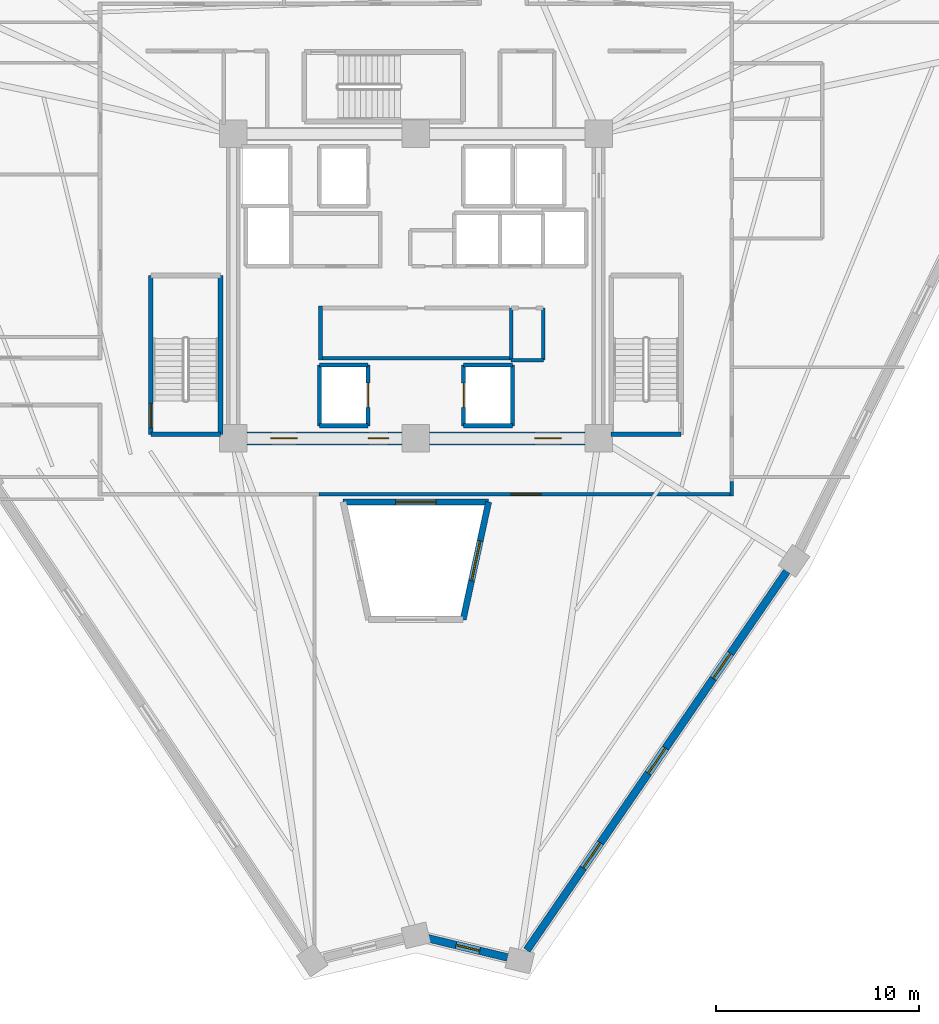
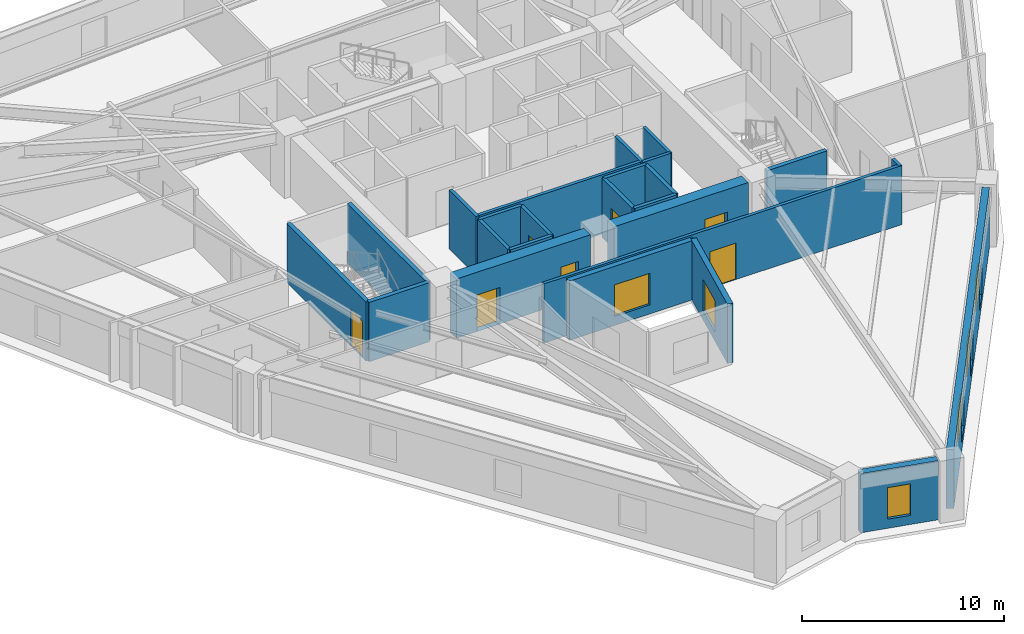
# One storey, part 3 of 8: 25 walls, 7 doors, 6 windows, 13 openings.
"""IFC4 building model written with IfcOpenShell, lengths in metres."""

from ifc_helpers import new_model, si_unit, direction, frame, frame_2d, origin, place, context, subcontext, project, spatial, rectangle, extrude, source, transform, mapped, material, layer, layer_set, type_object, element, fill, save


model = new_model("IFC4")

# Units and contexts
model_context = context("Model", 3, precision=1e-05, world=origin(), true_north=direction((0.0, 1.0)))
body_context = subcontext(model_context, "Body", "Model", "MODEL_VIEW")
ifc_project = project(units=[si_unit("LENGTHUNIT", "METRE"), si_unit("AREAUNIT", "SQUARE_METRE"), si_unit("VOLUMEUNIT", "CUBIC_METRE"), si_unit("PLANEANGLEUNIT", "RADIAN"), si_unit("MASSUNIT", "GRAM", prefix="KILO")], contexts=[model_context])

# Site, building, storey
site_placement = place(None, origin())
site = spatial("IfcSite", under=ifc_project, at=site_placement, CompositionType="ELEMENT")
building_placement = place(site_placement, origin())
building = spatial("IfcBuilding", under=site, at=building_placement, Name="Liaohun Quay Tower", CompositionType="ELEMENT")
storey_placement = place(building_placement, frame((0.0, 0.0, 270.0)))
storey = spatial("IfcBuildingStorey", under=building, at=storey_placement, Name="L70", CompositionType="ELEMENT", Elevation=270.0)

# Wall, opening, window
ifc_material_1 = material(Name="Concrete C50", Category="concrete")
ifc_layer_1 = layer(ifc_material_1, 0.300048828125, Name="Concrete C50", Category="concrete")
ifc_layer_set_1 = layer_set([ifc_layer_1], Name="Concrete C50")
wall_type_1 = type_object("IfcWallType", Name="WAL-ATR-300", PredefinedType="SOLIDWALL", material=ifc_layer_set_1)
wall_1_placement = place(storey_placement, frame((56.416015625, 43.3701171875, 0.0), z_axis=(0.0, 0.0, 1.0), x_axis=(1.0, 0.0, 0.0)))
wall_1 = element("IfcWall", 1, at=wall_1_placement, inside=storey, type_object=wall_type_1, Name="L70 Atrium Fire Compartment Wall 2", PredefinedType="SOLIDWALL", context=body_context, shape_type="SweptSolid", body=[
    extrude(rectangle(XDim=7.16796875, YDim=0.300048828125, at=frame_2d((3.583984375, 0.0))), origin(), (0.0, 0.0, 1.0), 3.570068359375),
])
shared_shape_1 = source(origin(), body_context, "Body", "SweptSolid", [
    extrude(rectangle(XDim=2.0, YDim=1.89990234375, at=frame_2d((1.0, 0.949951171875))), frame((0.0, 0.159912109375, 0.0), z_axis=(0.0, -1.0, 0.0), x_axis=(1.0, 0.0, 0.0)), (0.0, 0.0, 1.0), 0.320068359375),
])
opening_1_placement = place(wall_1_placement, frame((2.583984375, 0.0, 0.550048828125)))
opening_1 = element("IfcOpeningElement", 2, at=opening_1_placement, cuts=wall_1, Name="Opening W07", PredefinedType="OPENING", context=body_context, shape_type="MappedRepresentation", body=[
    mapped(shared_shape_1, transform((0.0, 0.0, 0.0), x_axis=(1.0, 0.0, 0.0), y_axis=(0.0, 1.0, 0.0), z_axis=(0.0, 0.0, 1.0), scale=1.0)),
])
ifc_material_2 = material(Name="Class A 180-min fire-resistant insulated glazing", Category="glass")
window_type_1 = type_object("IfcWindowType", Name="WIN-ATR-FIR", PartitioningType="DOUBLE_PANEL_VERTICAL", PredefinedType="WINDOW", material=ifc_material_2)
shared_shape_2 = source(origin(), body_context, "Body", "SweptSolid", [
    extrude(rectangle(XDim=2.0, YDim=1.89990234375, at=frame_2d((1.0, 0.949951171875))), frame((0.0, 0.030029296875, 0.0), z_axis=(0.0, -1.0, 0.0), x_axis=(1.0, 0.0, 0.0)), (0.0, 0.0, 1.0), 0.06005859375),
])
window_1_placement = place(opening_1_placement, origin())
window_1 = element("IfcWindow", 3, at=window_1_placement, inside=storey, type_object=window_type_1, Name="L70 Atrium Fire-Resistant Glazing W07-2", OverallHeight=1.89990234375, OverallWidth=2.0, PartitioningType="DOUBLE_PANEL_VERTICAL", PredefinedType="WINDOW", context=body_context, shape_type="MappedRepresentation", body=[
    mapped(shared_shape_2, transform((0.0, 0.0, 0.0), x_axis=(1.0, 0.0, 0.0), y_axis=(0.0, 1.0, 0.0), z_axis=(0.0, 0.0, 1.0), scale=1.0)),
])
fill(opening_1, window_1)

wall_2_placement = place(storey_placement, frame((63.583984375, 43.3701171875, 0.0), z_axis=(0.0, 0.0, 1.0), x_axis=(-0.211464510569, -0.977385676573, 0.0)))
wall_2 = element("IfcWall", 4, at=wall_2_placement, inside=storey, type_object=wall_type_1, Name="L70 Atrium Fire Compartment Wall 3", PredefinedType="SOLIDWALL", context=body_context, shape_type="SweptSolid", body=[
    extrude(rectangle(XDim=5.934326171875, YDim=0.300048828125, at=frame_2d((2.96728515625, 0.0))), origin(), (0.0, 0.0, 1.0), 3.570068359375),
])
opening_2_placement = place(wall_2_placement, frame((1.967041015625, 0.0, 0.550048828125)))
opening_2 = element("IfcOpeningElement", 5, at=opening_2_placement, cuts=wall_2, Name="Opening W07", PredefinedType="OPENING", context=body_context, shape_type="MappedRepresentation", body=[
    mapped(shared_shape_1, transform((0.0, 0.0, 0.0), x_axis=(1.0, 0.0, 0.0), y_axis=(0.0, 1.0, 0.0), z_axis=(0.0, 0.0, 1.0), scale=1.0)),
])
window_2_placement = place(opening_2_placement, origin())
window_2 = element("IfcWindow", 6, at=window_2_placement, inside=storey, type_object=window_type_1, Name="L70 Atrium Fire-Resistant Glazing W07-3", OverallHeight=1.89990234375, OverallWidth=2.0, PartitioningType="DOUBLE_PANEL_VERTICAL", PredefinedType="WINDOW", context=body_context, shape_type="MappedRepresentation", body=[
    mapped(shared_shape_2, transform((0.0, 0.0, 0.0), x_axis=(1.0, 0.0, 0.0), y_axis=(0.0, 1.0, 0.0), z_axis=(0.0, 0.0, 1.0), scale=1.0)),
])
fill(opening_2, window_2)

# Wall, opening, door
ifc_material_3 = material(Name="Concrete C55", Category="concrete")
ifc_layer_2 = layer(ifc_material_3, 0.64990234375, Name="Concrete C55", Category="concrete")
ifc_layer_set_2 = layer_set([ifc_layer_2], Name="Concrete C55")
wall_type_2 = type_object("IfcWallType", Name="WAL-COR-Z3", PredefinedType="SHEAR", material=ifc_layer_set_2)
wall_3_placement = place(storey_placement, frame((68.324951171875, 46.5, 0.0), z_axis=(0.0, 0.0, 1.0), x_axis=(-1.0, 0.0, 0.0)))
wall_3 = element("IfcWall", 7, at=wall_3_placement, inside=storey, type_object=wall_type_2, Name="L70 Central Core Shear Wall S-E", PredefinedType="SHEAR", context=body_context, shape_type="SweptSolid", body=[
    extrude(rectangle(XDim=7.64990234375, YDim=0.64990234375, at=frame_2d((3.824951171875, 0.0))), origin(), (0.0, 0.0, 1.0), 3.570068359375),
])
shared_shape_3 = source(origin(), body_context, "Body", "SweptSolid", [
    extrude(rectangle(XDim=1.300048828125, YDim=2.199951171875, at=frame_2d((0.64990234375, 1.10009765625))), frame((0.0, 0.3349609375, 0.0), z_axis=(0.0, -1.0, 0.0), x_axis=(1.0, 0.0, 0.0)), (0.0, 0.0, 1.0), 0.669921875),
])
opening_3_placement = place(wall_3_placement, frame((1.175048828125, 0.0, 0.0)))
opening_3 = element("IfcOpeningElement", 8, at=opening_3_placement, cuts=wall_3, Name="Opening FD1", PredefinedType="OPENING", context=body_context, shape_type="MappedRepresentation", body=[
    mapped(shared_shape_3, transform((0.0, 0.0, 0.0), x_axis=(1.0, 0.0, 0.0), y_axis=(0.0, 1.0, 0.0), z_axis=(0.0, 0.0, 1.0), scale=1.0)),
])
ifc_material_4 = material(Name="Galvanised steel smokeproof fire door", Category="steel")
door_type_1 = type_object("IfcDoorType", Name="DOR-FFL-1300", OperationType="NOTDEFINED", PredefinedType="DOOR", material=ifc_material_4)
shared_shape_4 = source(origin(), body_context, "Body", "SweptSolid", [
    extrude(rectangle(XDim=1.300048828125, YDim=2.199951171875, at=frame_2d((0.64990234375, 1.10009765625))), frame((0.0, 0.02490234375, 0.0), z_axis=(0.0, -1.0, 0.0), x_axis=(1.0, 0.0, 0.0)), (0.0, 0.0, 1.0), 0.050048828125),
])
door_1_placement = place(opening_3_placement, origin())
door_1 = element("IfcDoor", 9, at=door_1_placement, inside=storey, type_object=door_type_1, Name="L70 East Core Lift Lobby Smokeproof Door", OperationType="SINGLE_SWING_LEFT", OverallHeight=2.199951171875, OverallWidth=1.300048828125, PredefinedType="DOOR", context=body_context, shape_type="MappedRepresentation", body=[
    mapped(shared_shape_4, transform((0.0, 0.0, 0.0), x_axis=(1.0, 0.0, 0.0), y_axis=(0.0, 1.0, 0.0), z_axis=(0.0, 0.0, 1.0), scale=1.0)),
])
fill(opening_3, door_1)

# Wall, openings, doors
wall_4_placement = place(storey_placement, frame((59.324951171875, 46.5, 0.0), z_axis=(0.0, 0.0, 1.0), x_axis=(-1.0, 0.0, 0.0)))
wall_4 = element("IfcWall", 10, at=wall_4_placement, inside=storey, type_object=wall_type_2, Name="L70 Central Core Shear Wall S-W", PredefinedType="SHEAR", context=body_context, shape_type="SweptSolid", body=[
    extrude(rectangle(XDim=7.64990234375, YDim=0.64990234375, at=frame_2d((3.824951171875, 0.0))), origin(), (0.0, 0.0, 1.0), 3.570068359375),
])
opening_4_placement = place(wall_4_placement, frame((5.175048828125, 0.0, 0.0)))
opening_4 = element("IfcOpeningElement", 11, at=opening_4_placement, cuts=wall_4, Name="Opening FD1", PredefinedType="OPENING", context=body_context, shape_type="MappedRepresentation", body=[
    mapped(shared_shape_3, transform((0.0, 0.0, 0.0), x_axis=(1.0, 0.0, 0.0), y_axis=(0.0, 1.0, 0.0), z_axis=(0.0, 0.0, 1.0), scale=1.0)),
])
shared_shape_5 = source(origin(), body_context, "Body", "SweptSolid", [
    extrude(rectangle(XDim=1.0, YDim=2.199951171875, at=frame_2d((0.5, 1.10009765625))), frame((0.0, 0.3349609375, 0.0), z_axis=(0.0, -1.0, 0.0), x_axis=(1.0, 0.0, 0.0)), (0.0, 0.0, 1.0), 0.669921875),
])
opening_5_placement = place(wall_4_placement, frame((0.675048828125, 0.0, 0.0)))
opening_5 = element("IfcOpeningElement", 12, at=opening_5_placement, cuts=wall_4, Name="Opening FD2", PredefinedType="OPENING", context=body_context, shape_type="MappedRepresentation", body=[
    mapped(shared_shape_5, transform((0.0, 0.0, 0.0), x_axis=(1.0, 0.0, 0.0), y_axis=(0.0, 1.0, 0.0), z_axis=(0.0, 0.0, 1.0), scale=1.0)),
])
door_2_placement = place(opening_4_placement, origin())
door_2 = element("IfcDoor", 13, at=door_2_placement, inside=storey, type_object=door_type_1, Name="L70 West Core Lift Lobby Smokeproof Door", OperationType="SINGLE_SWING_RIGHT", OverallHeight=2.199951171875, OverallWidth=1.300048828125, PredefinedType="DOOR", context=body_context, shape_type="MappedRepresentation", body=[
    mapped(shared_shape_4, transform((0.0, 0.0, 0.0), x_axis=(1.0, 0.0, 0.0), y_axis=(0.0, 1.0, 0.0), z_axis=(0.0, 0.0, 1.0), scale=1.0)),
])
fill(opening_4, door_2)
ifc_material_5 = material(Name="Galvanised steel smokeproof lobby fire door", Category="steel")
door_type_2 = type_object("IfcDoorType", Name="DOR-FFL-1000", OperationType="NOTDEFINED", PredefinedType="DOOR", material=ifc_material_5)
shared_shape_6 = source(origin(), body_context, "Body", "SweptSolid", [
    extrude(rectangle(XDim=1.0, YDim=2.199951171875, at=frame_2d((0.5, 1.10009765625))), frame((0.0, 0.02490234375, 0.0), z_axis=(0.0, -1.0, 0.0), x_axis=(1.0, 0.0, 0.0)), (0.0, 0.0, 1.0), 0.050048828125),
])
door_3_placement = place(opening_5_placement, origin())
door_3 = element("IfcDoor", 14, at=door_3_placement, inside=storey, type_object=door_type_2, Name="L70 South Firefighting Lobby Smokeproof Door", OperationType="SINGLE_SWING_LEFT", OverallHeight=2.199951171875, OverallWidth=1.0, PredefinedType="DOOR", context=body_context, shape_type="MappedRepresentation", body=[
    mapped(shared_shape_6, transform((0.0, 0.0, 0.0), x_axis=(1.0, 0.0, 0.0), y_axis=(0.0, 1.0, 0.0), z_axis=(0.0, 0.0, 1.0), scale=1.0)),
])
fill(opening_5, door_3)

# Wall, opening, window
ifc_material_6 = material(Name="Precast concrete C50 insulated sandwich", Category="concrete")
ifc_layer_3 = layer(ifc_material_6, 0.3798828125, Name="Precast concrete C50 insulated sandwich", Category="concrete")
ifc_layer_set_3 = layer_set([ifc_layer_3], Name="Precast concrete C50 insulated sandwich")
wall_type_3 = type_object("IfcWallType", Name="WAL-EXT-Z34", PredefinedType="SOLIDWALL", material=ifc_layer_set_3)
wall_5_placement = place(storey_placement, frame((60.597900390625, 21.873046875, 0.0), z_axis=(0.0, 0.0, 1.0), x_axis=(0.972038387523, -0.234822003189, 0.0)))
wall_5 = element("IfcWall", 15, at=wall_5_placement, inside=storey, type_object=wall_type_3, Name="L70 Brutalist Precast Pier Wall 01", PredefinedType="SOLIDWALL", context=body_context, shape_type="SweptSolid", body=[
    extrude(rectangle(XDim=4.032958984375, YDim=0.3798828125, at=frame_2d((2.0166015625, 0.0))), origin(), (0.0, 0.0, 1.0), 3.570068359375),
])
shared_shape_7 = source(origin(), body_context, "Body", "SweptSolid", [
    extrude(rectangle(XDim=1.199951171875, YDim=1.89990234375, at=frame_2d((0.60009765625, 0.949951171875))), frame((0.0, 0.199951171875, 0.0), z_axis=(0.0, -1.0, 0.0), x_axis=(1.0, 0.0, 0.0)), (0.0, 0.0, 1.0), 0.39990234375),
])
opening_6_placement = place(wall_5_placement, frame((1.416015625, 0.0, 0.550048828125)))
opening_6 = element("IfcOpeningElement", 16, at=opening_6_placement, cuts=wall_5, Name="Opening W05", PredefinedType="OPENING", context=body_context, shape_type="MappedRepresentation", body=[
    mapped(shared_shape_7, transform((0.0, 0.0, 0.0), x_axis=(1.0, 0.0, 0.0), y_axis=(0.0, 1.0, 0.0), z_axis=(0.0, 0.0, 1.0), scale=1.0)),
])
ifc_material_7 = material(Name="Triple Low-E corner notch glazing", Category="glass")
window_type_2 = type_object("IfcWindowType", Name="WIN-NOTCH", PartitioningType="SINGLE_PANEL", PredefinedType="WINDOW", material=ifc_material_7)
shared_shape_8 = source(origin(), body_context, "Body", "SweptSolid", [
    extrude(rectangle(XDim=1.199951171875, YDim=1.89990234375, at=frame_2d((0.60009765625, 0.949951171875))), frame((0.0, 0.030029296875, 0.0), z_axis=(0.0, -1.0, 0.0), x_axis=(1.0, 0.0, 0.0)), (0.0, 0.0, 1.0), 0.06005859375),
])
window_3_placement = place(opening_6_placement, origin())
window_3 = element("IfcWindow", 17, at=window_3_placement, inside=storey, type_object=window_type_2, Name="L70 Corner Notch Window W05-01", OverallHeight=1.89990234375, OverallWidth=1.199951171875, PartitioningType="SINGLE_PANEL", PredefinedType="WINDOW", context=body_context, shape_type="MappedRepresentation", body=[
    mapped(shared_shape_8, transform((0.0, 0.0, 0.0), x_axis=(1.0, 0.0, 0.0), y_axis=(0.0, 1.0, 0.0), z_axis=(0.0, 0.0, 1.0), scale=1.0)),
])
fill(opening_6, window_3)

# Wall, openings, windows
wall_6_placement = place(storey_placement, frame((65.464111328125, 21.2890625, 0.0), z_axis=(0.0, 0.0, 1.0), x_axis=(0.565931900147, 0.824451990352, 0.0)))
wall_6 = element("IfcWall", 18, at=wall_6_placement, inside=storey, type_object=wall_type_3, Name="L70 Brutalist Precast Pier Wall 02", PredefinedType="SOLIDWALL", context=body_context, shape_type="SweptSolid", body=[
    extrude(rectangle(XDim=22.640625, YDim=0.3798828125, at=frame_2d((11.3203125, 0.0))), origin(), (0.0, 0.0, 1.0), 3.570068359375),
])
shared_shape_9 = source(origin(), body_context, "Body", "SweptSolid", [
    extrude(rectangle(XDim=1.5, YDim=1.89990234375, at=frame_2d((0.75, 0.949951171875))), frame((0.0, 0.199951171875, 0.0), z_axis=(0.0, -1.0, 0.0), x_axis=(1.0, 0.0, 0.0)), (0.0, 0.0, 1.0), 0.39990234375),
])
opening_7_placement = place(wall_6_placement, frame((4.909912109375, 0.0, 0.550048828125)))
opening_7 = element("IfcOpeningElement", 19, at=opening_7_placement, cuts=wall_6, Name="Opening W03", PredefinedType="OPENING", context=body_context, shape_type="MappedRepresentation", body=[
    mapped(shared_shape_9, transform((0.0, 0.0, 0.0), x_axis=(1.0, 0.0, 0.0), y_axis=(0.0, 1.0, 0.0), z_axis=(0.0, 0.0, 1.0), scale=1.0)),
])
opening_8_placement = place(wall_6_placement, frame((10.570068359375, 0.0, 0.550048828125)))
opening_8 = element("IfcOpeningElement", 20, at=opening_8_placement, cuts=wall_6, Name="Opening W03", PredefinedType="OPENING", context=body_context, shape_type="MappedRepresentation", body=[
    mapped(shared_shape_9, transform((0.0, 0.0, 0.0), x_axis=(1.0, 0.0, 0.0), y_axis=(0.0, 1.0, 0.0), z_axis=(0.0, 0.0, 1.0), scale=1.0)),
])
opening_9_placement = place(wall_6_placement, frame((16.22998046875, 0.0, 0.550048828125)))
opening_9 = element("IfcOpeningElement", 21, at=opening_9_placement, cuts=wall_6, Name="Opening W03", PredefinedType="OPENING", context=body_context, shape_type="MappedRepresentation", body=[
    mapped(shared_shape_9, transform((0.0, 0.0, 0.0), x_axis=(1.0, 0.0, 0.0), y_axis=(0.0, 1.0, 0.0), z_axis=(0.0, 0.0, 1.0), scale=1.0)),
])
ifc_material_8 = material(Name="Triple Low-E argon glazing in thermally broken aluminium", Category="aluminium")
window_type_3 = type_object("IfcWindowType", Name="WIN-PUN-Z3", PartitioningType="DOUBLE_PANEL_VERTICAL", PredefinedType="WINDOW", material=ifc_material_8)
shared_shape_10 = source(origin(), body_context, "Body", "SweptSolid", [
    extrude(rectangle(XDim=1.5, YDim=1.89990234375, at=frame_2d((0.75, 0.949951171875))), frame((0.0, 0.030029296875, 0.0), z_axis=(0.0, -1.0, 0.0), x_axis=(1.0, 0.0, 0.0)), (0.0, 0.0, 1.0), 0.06005859375),
])
window_4_placement = place(opening_7_placement, origin())
window_4 = element("IfcWindow", 22, at=window_4_placement, inside=storey, type_object=window_type_3, Name="L70 Recessed Cold-Climate Punched Window 02-1", OverallHeight=1.89990234375, OverallWidth=1.5, PartitioningType="DOUBLE_PANEL_VERTICAL", PredefinedType="WINDOW", context=body_context, shape_type="MappedRepresentation", body=[
    mapped(shared_shape_10, transform((0.0, 0.0, 0.0), x_axis=(1.0, 0.0, 0.0), y_axis=(0.0, 1.0, 0.0), z_axis=(0.0, 0.0, 1.0), scale=1.0)),
])
fill(opening_7, window_4)
window_5_placement = place(opening_8_placement, origin())
window_5 = element("IfcWindow", 23, at=window_5_placement, inside=storey, type_object=window_type_3, Name="L70 Recessed Cold-Climate Punched Window 02-2", OverallHeight=1.89990234375, OverallWidth=1.5, PartitioningType="DOUBLE_PANEL_VERTICAL", PredefinedType="WINDOW", context=body_context, shape_type="MappedRepresentation", body=[
    mapped(shared_shape_10, transform((0.0, 0.0, 0.0), x_axis=(1.0, 0.0, 0.0), y_axis=(0.0, 1.0, 0.0), z_axis=(0.0, 0.0, 1.0), scale=1.0)),
])
fill(opening_8, window_5)
window_6_placement = place(opening_9_placement, origin())
window_6 = element("IfcWindow", 24, at=window_6_placement, inside=storey, type_object=window_type_3, Name="L70 Recessed Cold-Climate Punched Window 02-3", OverallHeight=1.89990234375, OverallWidth=1.5, PartitioningType="DOUBLE_PANEL_VERTICAL", PredefinedType="WINDOW", context=body_context, shape_type="MappedRepresentation", body=[
    mapped(shared_shape_10, transform((0.0, 0.0, 0.0), x_axis=(1.0, 0.0, 0.0), y_axis=(0.0, 1.0, 0.0), z_axis=(0.0, 0.0, 1.0), scale=1.0)),
])
fill(opening_9, window_6)

# Wall, opening, door
ifc_material_9 = material(Name="Autoclaved aerated concrete blockwork", Category="masonry")
ifc_layer_4 = layer(ifc_material_9, 0.179931640625, Name="Autoclaved aerated concrete blockwork", Category="masonry")
ifc_layer_set_4 = layer_set([ifc_layer_4], Name="Autoclaved aerated concrete blockwork")
wall_type_4 = type_object("IfcWallType", Name="WAL-PRT-COR", PredefinedType="PARTITIONING", material=ifc_layer_set_4)
wall_7_placement = place(storey_placement, frame((75.6298828125, 43.739990234375, 0.0), z_axis=(0.0, 0.0, 1.0), x_axis=(-1.0, 0.0, 0.0)))
wall_7 = element("IfcWall", 25, at=wall_7_placement, inside=storey, type_object=wall_type_4, Name="L70 Interior Partition Wall 022", PredefinedType="PARTITIONING", context=body_context, shape_type="SweptSolid", body=[
    extrude(rectangle(XDim=20.414794921875, YDim=0.179931640625, at=frame_2d((10.20751953125, 0.0))), origin(), (0.0, 0.0, 1.0), 3.570068359375),
])
shared_shape_11 = source(origin(), body_context, "Body", "SweptSolid", [
    extrude(rectangle(XDim=1.5, YDim=2.199951171875, at=frame_2d((0.75, 1.10009765625))), frame((0.0, 0.099853515625, 0.0), z_axis=(0.0, -1.0, 0.0), x_axis=(1.0, 0.0, 0.0)), (0.0, 0.0, 1.0), 0.199951171875),
])
opening_10_placement = place(wall_7_placement, frame((9.45703125, 0.0, 0.0)))
opening_10 = element("IfcOpeningElement", 26, at=opening_10_placement, cuts=wall_7, Name="Opening OD2", PredefinedType="OPENING", context=body_context, shape_type="MappedRepresentation", body=[
    mapped(shared_shape_11, transform((0.0, 0.0, 0.0), x_axis=(1.0, 0.0, 0.0), y_axis=(0.0, 1.0, 0.0), z_axis=(0.0, 0.0, 1.0), scale=1.0)),
])
ifc_material_10 = material(Name="Acoustic oak veneer double door")
door_type_3 = type_object("IfcDoorType", Name="DOR-OFF-1500", OperationType="DOUBLE_DOOR_SINGLE_SWING", PredefinedType="DOOR", material=ifc_material_10)
shared_shape_12 = source(origin(), body_context, "Body", "SweptSolid", [
    extrude(rectangle(XDim=1.5, YDim=2.199951171875, at=frame_2d((0.75, 1.10009765625))), frame((0.0, 0.02490234375, 0.0), z_axis=(0.0, -1.0, 0.0), x_axis=(1.0, 0.0, 0.0)), (0.0, 0.0, 1.0), 0.050048828125),
])
door_4_placement = place(opening_10_placement, origin())
door_4 = element("IfcDoor", 27, at=door_4_placement, inside=storey, type_object=door_type_3, Name="L70 Executive Partner Office 11 Door", OperationType="DOUBLE_DOOR_SINGLE_SWING", OverallHeight=2.199951171875, OverallWidth=1.5, PredefinedType="DOOR", context=body_context, shape_type="MappedRepresentation", body=[
    mapped(shared_shape_12, transform((0.0, 0.0, 0.0), x_axis=(1.0, 0.0, 0.0), y_axis=(0.0, 1.0, 0.0), z_axis=(0.0, 0.0, 1.0), scale=1.0)),
])
fill(opening_10, door_4)

# Walls
wall_8_placement = place(storey_placement, frame((64.68994140625, 50.35009765625, 0.0), z_axis=(0.0, 0.0, 1.0), x_axis=(0.0, 1.0, 0.0)))
element("IfcWall", 28, at=wall_8_placement, inside=storey, type_object=wall_type_4, Name="L70 Interior Partition Wall 026", PredefinedType="PARTITIONING", context=body_context, shape_type="SweptSolid", body=[
    extrude(rectangle(XDim=2.56982421875, YDim=0.179931640625, at=frame_2d((1.284912109375, 0.0))), origin(), (0.0, 0.0, 1.0), 3.570068359375),
])
wall_9_placement = place(storey_placement, frame((64.68994140625, 50.35009765625, 0.0), z_axis=(0.0, 0.0, 1.0), x_axis=(1.0, 0.0, 0.0)))
element("IfcWall", 29, at=wall_9_placement, inside=storey, type_object=wall_type_4, Name="L70 Interior Partition Wall 027", PredefinedType="PARTITIONING", context=body_context, shape_type="SweptSolid", body=[
    extrude(rectangle(XDim=1.590087890625, YDim=0.179931640625, at=frame_2d((0.794921875, 0.0))), origin(), (0.0, 0.0, 1.0), 3.570068359375),
])
wall_10_placement = place(storey_placement, frame((66.280029296875, 50.35009765625, 0.0), z_axis=(0.0, 0.0, 1.0), x_axis=(0.0, 1.0, 0.0)))
element("IfcWall", 30, at=wall_10_placement, inside=storey, type_object=wall_type_4, Name="L70 Interior Partition Wall 028", PredefinedType="PARTITIONING", context=body_context, shape_type="SweptSolid", body=[
    extrude(rectangle(XDim=2.56982421875, YDim=0.179931640625, at=frame_2d((1.284912109375, 0.0))), origin(), (0.0, 0.0, 1.0), 3.570068359375),
])
wall_11_placement = place(storey_placement, frame((75.56005859375, 44.385009765625, 0.0), z_axis=(0.0, 0.0, 1.0), x_axis=(0.0, -1.0, 0.0)))
element("IfcWall", 31, at=wall_11_placement, inside=storey, type_object=wall_type_4, Name="L70 Interior Partition Wall 046", PredefinedType="PARTITIONING", context=body_context, shape_type="SweptSolid", body=[
    extrude(rectangle(XDim=0.715087890625, YDim=0.179931640625, at=frame_2d((0.357421875, 0.0))), origin(), (0.0, 0.0, 1.0), 3.570068359375),
])
wall_12_placement = place(storey_placement, frame((55.300048828125, 50.360107421875, 0.0), z_axis=(0.0, 0.0, 1.0), x_axis=(0.0, 1.0, 0.0)))
element("IfcWall", 32, at=wall_12_placement, inside=storey, type_object=wall_type_4, Name="L70 Interior Partition Wall 058", PredefinedType="PARTITIONING", context=body_context, shape_type="SweptSolid", body=[
    extrude(rectangle(XDim=2.64990234375, YDim=0.179931640625, at=frame_2d((1.324951171875, 0.0))), origin(), (0.0, 0.0, 1.0), 3.570068359375),
])
wall_13_placement = place(storey_placement, frame((55.389892578125, 50.449951171875, 0.0), z_axis=(0.0, 0.0, 1.0), x_axis=(1.0, 0.0, 0.0)))
element("IfcWall", 33, at=wall_13_placement, inside=storey, type_object=wall_type_4, Name="L70 Interior Partition Wall 059", PredefinedType="PARTITIONING", context=body_context, shape_type="SweptSolid", body=[
    extrude(rectangle(XDim=9.210205078125, YDim=0.179931640625, at=frame_2d((4.60498046875, 0.0))), origin(), (0.0, 0.0, 1.0), 3.570068359375),
])
ifc_layer_5 = layer(ifc_material_1, 0.239990234375, Name="Concrete C50", Category="concrete")
ifc_layer_set_5 = layer_set([ifc_layer_5], Name="Concrete C50")
wall_type_5 = type_object("IfcWallType", Name="WAL-SHF-200", PredefinedType="SOLIDWALL", material=ifc_layer_set_5)
wall_14_placement = place(storey_placement, frame((46.93994140625, 46.699951171875, 0.0), z_axis=(0.0, 0.0, 1.0), x_axis=(1.0, 0.0, 0.0)))
element("IfcWall", 34, at=wall_14_placement, inside=storey, type_object=wall_type_5, Name="L70 Stairwell ST-1 Structural Core Wall S", PredefinedType="SOLIDWALL", context=body_context, shape_type="SweptSolid", body=[
    extrude(rectangle(XDim=3.43994140625, YDim=0.239990234375, at=frame_2d((1.719970703125, 0.0))), origin(), (0.0, 0.0, 1.0), 3.570068359375),
])
wall_15_placement = place(storey_placement, frame((50.3798828125, 46.699951171875, 0.0), z_axis=(0.0, 0.0, 1.0), x_axis=(0.0, 1.0, 0.0)))
element("IfcWall", 35, at=wall_15_placement, inside=storey, type_object=wall_type_5, Name="L70 Stairwell ST-1 Structural Core Wall E", PredefinedType="SOLIDWALL", context=body_context, shape_type="SweptSolid", body=[
    extrude(rectangle(XDim=7.820068359375, YDim=0.239990234375, at=frame_2d((3.91015625, 0.0))), origin(), (0.0, 0.0, 1.0), 3.570068359375),
])

# Wall, opening, door
wall_16_placement = place(storey_placement, frame((46.93994140625, 54.52001953125, 0.0), z_axis=(0.0, 0.0, 1.0), x_axis=(0.0, -1.0, 0.0)))
wall_16 = element("IfcWall", 36, at=wall_16_placement, inside=storey, type_object=wall_type_5, Name="L70 Stairwell ST-1 Structural Core Wall W", PredefinedType="SOLIDWALL", context=body_context, shape_type="SweptSolid", body=[
    extrude(rectangle(XDim=7.820068359375, YDim=0.239990234375, at=frame_2d((3.91015625, 0.0))), origin(), (0.0, 0.0, 1.0), 3.570068359375),
])
shared_shape_13 = source(origin(), body_context, "Body", "SweptSolid", [
    extrude(rectangle(XDim=1.199951171875, YDim=2.199951171875, at=frame_2d((0.60009765625, 1.10009765625))), frame((0.0, 0.1298828125, 0.0), z_axis=(0.0, -1.0, 0.0), x_axis=(1.0, 0.0, 0.0)), (0.0, 0.0, 1.0), 0.260009765625),
])
opening_11_placement = place(wall_16_placement, frame((6.300048828125, 0.0, 0.0)))
opening_11 = element("IfcOpeningElement", 37, at=opening_11_placement, cuts=wall_16, Name="Opening SD1", PredefinedType="OPENING", context=body_context, shape_type="MappedRepresentation", body=[
    mapped(shared_shape_13, transform((0.0, 0.0, 0.0), x_axis=(1.0, 0.0, 0.0), y_axis=(0.0, 1.0, 0.0), z_axis=(0.0, 0.0, 1.0), scale=1.0)),
])
ifc_material_11 = material(Name="Galvanised steel fire door", Category="steel")
door_type_4 = type_object("IfcDoorType", Name="DOR-STR-1200", OperationType="NOTDEFINED", PredefinedType="DOOR", material=ifc_material_11)
shared_shape_14 = source(origin(), body_context, "Body", "SweptSolid", [
    extrude(rectangle(XDim=1.199951171875, YDim=2.199951171875, at=frame_2d((0.60009765625, 1.10009765625))), frame((0.0, 0.02490234375, 0.0), z_axis=(0.0, -1.0, 0.0), x_axis=(1.0, 0.0, 0.0)), (0.0, 0.0, 1.0), 0.050048828125),
])
door_5_placement = place(opening_11_placement, origin())
door_5 = element("IfcDoor", 38, at=door_5_placement, inside=storey, type_object=door_type_4, Name="L70 Protected Stair ST-1 Fire Door", OperationType="SINGLE_SWING_LEFT", OverallHeight=2.199951171875, OverallWidth=1.199951171875, PredefinedType="DOOR", context=body_context, shape_type="MappedRepresentation", body=[
    mapped(shared_shape_14, transform((0.0, 0.0, 0.0), x_axis=(1.0, 0.0, 0.0), y_axis=(0.0, 1.0, 0.0), z_axis=(0.0, 0.0, 1.0), scale=1.0)),
])
fill(opening_11, door_5)

# Walls
wall_17_placement = place(storey_placement, frame((69.6201171875, 46.699951171875, 0.0), z_axis=(0.0, 0.0, 1.0), x_axis=(1.0, 0.0, 0.0)))
element("IfcWall", 39, at=wall_17_placement, inside=storey, type_object=wall_type_5, Name="L70 Stairwell ST-2 Structural Core Wall S", PredefinedType="SOLIDWALL", context=body_context, shape_type="SweptSolid", body=[
    extrude(rectangle(XDim=3.43994140625, YDim=0.239990234375, at=frame_2d((1.719970703125, 0.0))), origin(), (0.0, 0.0, 1.0), 3.570068359375),
])
wall_18_placement = place(storey_placement, frame((55.25, 47.1201171875, 0.0), z_axis=(0.0, 0.0, 1.0), x_axis=(1.0, 0.0, 0.0)))
element("IfcWall", 40, at=wall_18_placement, inside=storey, type_object=wall_type_5, Name="L70 Lift FF-01 Hoistway Wall S", PredefinedType="SOLIDWALL", context=body_context, shape_type="SweptSolid", body=[
    extrude(rectangle(XDim=2.39990234375, YDim=0.199951171875, at=frame_2d((1.199951171875, 0.0))), origin(), (0.0, 0.0, 1.0), 3.570068359375),
])

# Wall, opening, door
wall_19_placement = place(storey_placement, frame((57.64990234375, 47.1201171875, 0.0), z_axis=(0.0, 0.0, 1.0), x_axis=(0.0, 1.0, 0.0)))
wall_19 = element("IfcWall", 41, at=wall_19_placement, inside=storey, type_object=wall_type_5, Name="L70 Lift FF-01 Hoistway Wall E", PredefinedType="SOLIDWALL", context=body_context, shape_type="SweptSolid", body=[
    extrude(rectangle(XDim=3.0, YDim=0.199951171875, at=frame_2d((1.5, 0.0))), origin(), (0.0, 0.0, 1.0), 3.570068359375),
])
shared_shape_15 = source(origin(), body_context, "Body", "SweptSolid", [
    extrude(rectangle(XDim=1.199951171875, YDim=2.300048828125, at=frame_2d((0.60009765625, 1.14990234375))), frame((0.0, 0.10986328125, 0.0), z_axis=(0.0, -1.0, 0.0), x_axis=(1.0, 0.0, 0.0)), (0.0, 0.0, 1.0), 0.219970703125),
])
opening_12_placement = place(wall_19_placement, frame((0.89990234375, 0.0, 0.0)))
opening_12 = element("IfcOpeningElement", 42, at=opening_12_placement, cuts=wall_19, Name="Opening LD2", PredefinedType="OPENING", context=body_context, shape_type="MappedRepresentation", body=[
    mapped(shared_shape_15, transform((0.0, 0.0, 0.0), x_axis=(1.0, 0.0, 0.0), y_axis=(0.0, 1.0, 0.0), z_axis=(0.0, 0.0, 1.0), scale=1.0)),
])
ifc_material_12 = material(Name="Brushed stainless steel stretcher landing door", Category="steel")
door_type_5 = type_object("IfcDoorType", Name="DOR-LFT-1200", OperationType="SLIDING_TO_LEFT", PredefinedType="DOOR", material=ifc_material_12)
shared_shape_16 = source(origin(), body_context, "Body", "SweptSolid", [
    extrude(rectangle(XDim=1.199951171875, YDim=2.300048828125, at=frame_2d((0.60009765625, 1.14990234375))), frame((0.0, 0.02490234375, 0.0), z_axis=(0.0, -1.0, 0.0), x_axis=(1.0, 0.0, 0.0)), (0.0, 0.0, 1.0), 0.050048828125),
])
door_6_placement = place(opening_12_placement, origin())
door_6 = element("IfcDoor", 43, at=door_6_placement, inside=storey, type_object=door_type_5, Name="L70 Lift FF-01 Sliding Landing Door", OperationType="SLIDING_TO_LEFT", OverallHeight=2.300048828125, OverallWidth=1.199951171875, PredefinedType="DOOR", context=body_context, shape_type="MappedRepresentation", body=[
    mapped(shared_shape_16, transform((0.0, 0.0, 0.0), x_axis=(1.0, 0.0, 0.0), y_axis=(0.0, 1.0, 0.0), z_axis=(0.0, 0.0, 1.0), scale=1.0)),
])
fill(opening_12, door_6)

# Walls
wall_20_placement = place(storey_placement, frame((57.64990234375, 50.1201171875, 0.0), z_axis=(0.0, 0.0, 1.0), x_axis=(-1.0, 0.0, 0.0)))
element("IfcWall", 44, at=wall_20_placement, inside=storey, type_object=wall_type_5, Name="L70 Lift FF-01 Hoistway Wall N", PredefinedType="SOLIDWALL", context=body_context, shape_type="SweptSolid", body=[
    extrude(rectangle(XDim=2.39990234375, YDim=0.199951171875, at=frame_2d((1.199951171875, 0.0))), origin(), (0.0, 0.0, 1.0), 3.570068359375),
])
wall_21_placement = place(storey_placement, frame((55.25, 50.1201171875, 0.0), z_axis=(0.0, 0.0, 1.0), x_axis=(0.0, -1.0, 0.0)))
element("IfcWall", 45, at=wall_21_placement, inside=storey, type_object=wall_type_5, Name="L70 Lift FF-01 Hoistway Wall W", PredefinedType="SOLIDWALL", context=body_context, shape_type="SweptSolid", body=[
    extrude(rectangle(XDim=3.0, YDim=0.199951171875, at=frame_2d((1.5, 0.0))), origin(), (0.0, 0.0, 1.0), 3.570068359375),
])
wall_22_placement = place(storey_placement, frame((62.35009765625, 47.1201171875, 0.0), z_axis=(0.0, 0.0, 1.0), x_axis=(1.0, 0.0, 0.0)))
element("IfcWall", 46, at=wall_22_placement, inside=storey, type_object=wall_type_5, Name="L70 Lift FF-02 Hoistway Wall S", PredefinedType="SOLIDWALL", context=body_context, shape_type="SweptSolid", body=[
    extrude(rectangle(XDim=2.39990234375, YDim=0.199951171875, at=frame_2d((1.199951171875, 0.0))), origin(), (0.0, 0.0, 1.0), 3.570068359375),
])
wall_23_placement = place(storey_placement, frame((64.75, 47.1201171875, 0.0), z_axis=(0.0, 0.0, 1.0), x_axis=(0.0, 1.0, 0.0)))
element("IfcWall", 47, at=wall_23_placement, inside=storey, type_object=wall_type_5, Name="L70 Lift FF-02 Hoistway Wall E", PredefinedType="SOLIDWALL", context=body_context, shape_type="SweptSolid", body=[
    extrude(rectangle(XDim=3.0, YDim=0.199951171875, at=frame_2d((1.5, 0.0))), origin(), (0.0, 0.0, 1.0), 3.570068359375),
])
wall_24_placement = place(storey_placement, frame((64.75, 50.1201171875, 0.0), z_axis=(0.0, 0.0, 1.0), x_axis=(-1.0, 0.0, 0.0)))
element("IfcWall", 48, at=wall_24_placement, inside=storey, type_object=wall_type_5, Name="L70 Lift FF-02 Hoistway Wall N", PredefinedType="SOLIDWALL", context=body_context, shape_type="SweptSolid", body=[
    extrude(rectangle(XDim=2.39990234375, YDim=0.199951171875, at=frame_2d((1.199951171875, 0.0))), origin(), (0.0, 0.0, 1.0), 3.570068359375),
])

# Wall, opening, door
wall_25_placement = place(storey_placement, frame((62.35009765625, 50.1201171875, 0.0), z_axis=(0.0, 0.0, 1.0), x_axis=(0.0, -1.0, 0.0)))
wall_25 = element("IfcWall", 49, at=wall_25_placement, inside=storey, type_object=wall_type_5, Name="L70 Lift FF-02 Hoistway Wall W", PredefinedType="SOLIDWALL", context=body_context, shape_type="SweptSolid", body=[
    extrude(rectangle(XDim=3.0, YDim=0.199951171875, at=frame_2d((1.5, 0.0))), origin(), (0.0, 0.0, 1.0), 3.570068359375),
])
opening_13_placement = place(wall_25_placement, frame((0.89990234375, 0.0, 0.0)))
opening_13 = element("IfcOpeningElement", 50, at=opening_13_placement, cuts=wall_25, Name="Opening LD2", PredefinedType="OPENING", context=body_context, shape_type="MappedRepresentation", body=[
    mapped(shared_shape_15, transform((0.0, 0.0, 0.0), x_axis=(1.0, 0.0, 0.0), y_axis=(0.0, 1.0, 0.0), z_axis=(0.0, 0.0, 1.0), scale=1.0)),
])
door_7_placement = place(opening_13_placement, origin())
door_7 = element("IfcDoor", 51, at=door_7_placement, inside=storey, type_object=door_type_5, Name="L70 Lift FF-02 Sliding Landing Door", OperationType="SLIDING_TO_LEFT", OverallHeight=2.300048828125, OverallWidth=1.199951171875, PredefinedType="DOOR", context=body_context, shape_type="MappedRepresentation", body=[
    mapped(shared_shape_16, transform((0.0, 0.0, 0.0), x_axis=(1.0, 0.0, 0.0), y_axis=(0.0, 1.0, 0.0), z_axis=(0.0, 0.0, 1.0), scale=1.0)),
])
fill(opening_13, door_7)

save(model, "model.ifc")
